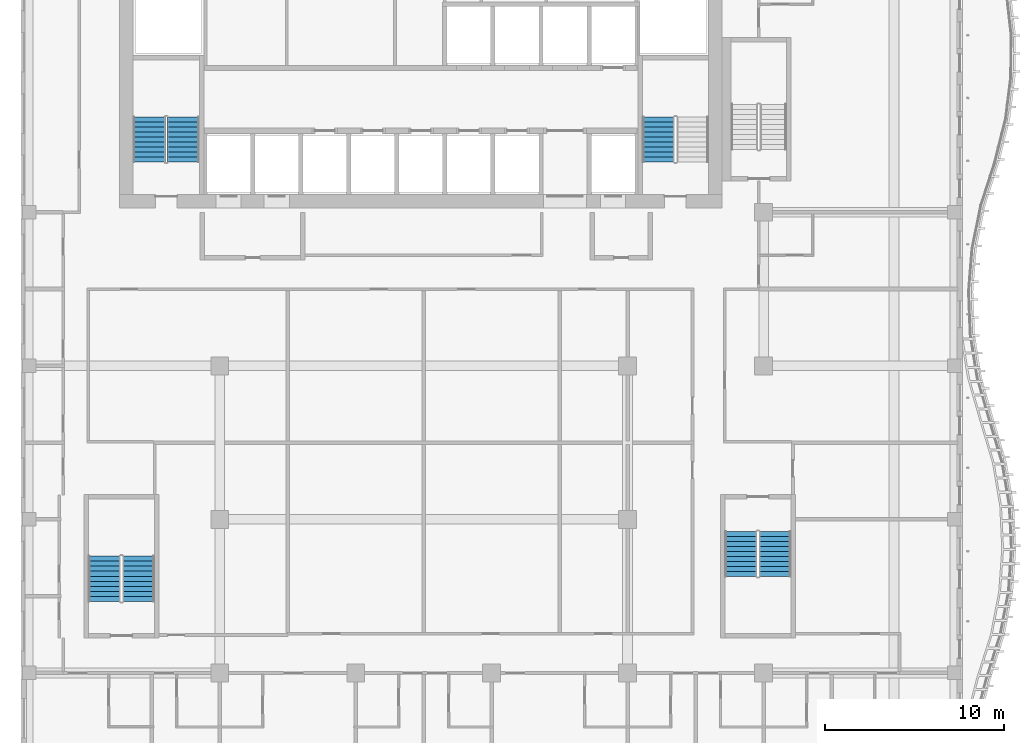
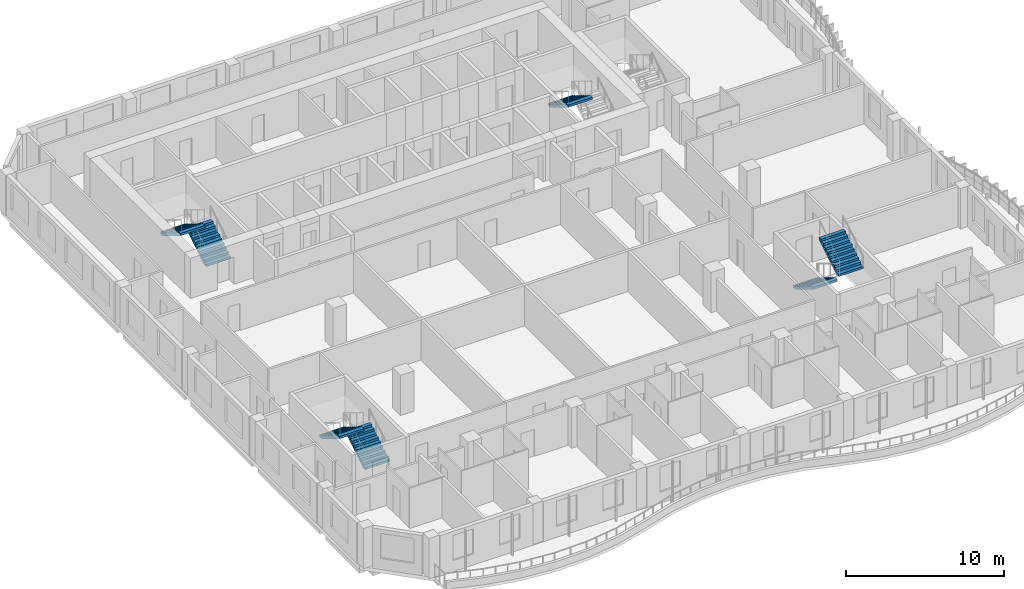
# One storey, part 11 of 22: 7 stair flights, 4 elements without a shape of their own.
"""IFC4 building model written with IfcOpenShell, lengths in metres."""

import ifcopenshell
import ifcopenshell.guid

model = None  # the IFC model being written
_history = None  # IfcOwnerHistory: only IFC2X3 demands one
_inside = {}  # id of a spatial element -> (the spatial element, [elements in it])
_under = {}  # id of a project, library or spatial element -> (it, [spatial elements below it])
_declared = {}  # id of a project -> (the project, [libraries it declares])
_typed = {}  # id of a type object -> (the type object, [elements of that type])
_made_of = {}  # id of a material, layer set ... -> (it, [elements and type objects made of it])


def new_model(schema):
    """Start an empty IFC model of exactly this schema.

    Asked for "IFC4X3", IfcOpenShell would pick the latest addendum, in which some entities
    have other attributes; the version numbers below select the first issue.
    IFC2X3 requires an IfcOwnerHistory on every rooted entity: one is made here for all.
    """
    global model, _history
    if schema == "IFC4X3":
        model = ifcopenshell.file(schema_version=(4, 3, 0, 0))
    else:
        model = ifcopenshell.file(schema=schema)
    _inside.clear()
    _under.clear()
    _declared.clear()
    _typed.clear()
    _made_of.clear()
    _history = None
    if model.schema == "IFC2X3":
        org = make("IfcOrganization", Name="unknown")
        user = make(
            "IfcPersonAndOrganization",
            ThePerson=make("IfcPerson", FamilyName="unknown"),
            TheOrganization=org,
        )
        app = make(
            "IfcApplication",
            ApplicationDeveloper=org,
            Version="unknown",
            ApplicationFullName="unknown",
            ApplicationIdentifier="unknown",
        )
        _history = make(
            "IfcOwnerHistory",
            OwningUser=user,
            OwningApplication=app,
            ChangeAction="ADDED",
            CreationDate=0,
        )
    return model


def make(cls, **values):
    """One entity of the class cls with the attributes given. An attribute that is None is left unset."""
    return model.create_entity(
        cls, **{name: value for name, value in values.items() if value is not None}
    )


def rooted(cls, **values):
    """An entity with a GlobalId (a new one), such as an element, a storey or a relation."""
    return make(cls, GlobalId=ifcopenshell.guid.new(), OwnerHistory=_history, **values)


def si_unit(unit_type, name, prefix=None):
    """IfcSIUnit, for example si_unit("LENGTHUNIT", "METRE", prefix="MILLI")."""
    return make("IfcSIUnit", UnitType=unit_type, Prefix=prefix, Name=name)


def assignment(units):
    """IfcUnitAssignment: the units of a project."""
    return None if units is None else make("IfcUnitAssignment", Units=units)


def point(xyz):
    """IfcCartesianPoint."""
    return None if xyz is None else make("IfcCartesianPoint", Coordinates=xyz)


def direction(xyz):
    """IfcDirection."""
    return None if xyz is None else make("IfcDirection", DirectionRatios=xyz)


def frame(location, z_axis=None, x_axis=None):
    """IfcAxis2Placement3D, a coordinate frame: its origin and axes. An axis left out is left unset."""
    return make(
        "IfcAxis2Placement3D",
        Location=point(location),
        Axis=direction(z_axis),
        RefDirection=direction(x_axis),
    )


def origin():
    """The frame at (0, 0, 0) with its axes left unset."""
    return frame((0.0, 0.0, 0.0))


def place(relative_to, where):
    """IfcLocalPlacement: puts the frame where relative to a parent placement (None: the world)."""
    return make(
        "IfcLocalPlacement", PlacementRelTo=relative_to, RelativePlacement=where
    )


def context(
    kind, dimensions, precision=None, world=None, true_north=None, identifier=None
):
    """IfcGeometricRepresentationContext, for example the 3D "Model" context."""
    return make(
        "IfcGeometricRepresentationContext",
        ContextIdentifier=identifier,
        ContextType=kind,
        CoordinateSpaceDimension=dimensions,
        Precision=precision,
        WorldCoordinateSystem=world,
        TrueNorth=true_north,
    )


def subcontext(parent, identifier, kind, view, scale=None):
    """IfcGeometricRepresentationSubContext, for example "Body" below "Model"."""
    return make(
        "IfcGeometricRepresentationSubContext",
        ContextIdentifier=identifier,
        ContextType=kind,
        ParentContext=parent,
        TargetScale=scale,
        TargetView=view,
    )


def project(units=None, contexts=None):
    """IfcProject with its units and contexts."""
    return rooted(
        "IfcProject",
        Name="project",
        RepresentationContexts=contexts,
        UnitsInContext=assignment(units),
    )


def spatial(cls, under=None, at=None, **own):
    """A site, building, storey or space (cls), placed at a placement, below another one or the project."""
    s = rooted(cls, ObjectPlacement=at, **own)
    if under is not None:
        _under.setdefault(under.id(), (under, []))[1].append(s)
    return s


def point_list(points):
    """IfcCartesianPointList2D or 3D."""
    cls = (
        "IfcCartesianPointList2D" if len(points[0]) == 2 else "IfcCartesianPointList3D"
    )
    return make(cls, CoordList=points)


def triangles(points, corners, closed=None, point_numbers=None):
    """IfcTriangulatedFaceSet: each triangle names its three corners, points numbered from 1."""
    return make(
        "IfcTriangulatedFaceSet",
        Coordinates=point_list(points),
        Closed=closed,
        CoordIndex=corners,
        PnIndex=point_numbers,
    )


def shape(context_of_items, identifier, shape_type, items):
    """IfcShapeRepresentation: the items that make up one representation, for example the "Body"."""
    return make(
        "IfcShapeRepresentation",
        ContextOfItems=context_of_items,
        RepresentationIdentifier=identifier,
        RepresentationType=shape_type,
        Items=items,
    )


def source(mapping_origin, context_of_items, identifier, shape_type, items):
    """IfcRepresentationMap: a shape defined once, which mapped items show again and again."""
    return make(
        "IfcRepresentationMap",
        MappingOrigin=mapping_origin,
        MappedRepresentation=shape(context_of_items, identifier, shape_type, items),
    )


def transform(
    local_origin,
    x_axis=None,
    y_axis=None,
    z_axis=None,
    scale=None,
    scale2=None,
    scale3=None,
    uniform=True,
):
    """IfcCartesianTransformationOperator3D, or its non-uniform kind. x_axis, y_axis, z_axis: its Axis1, 2, 3."""
    if uniform:
        return make(
            "IfcCartesianTransformationOperator3D",
            Axis1=direction(x_axis),
            Axis2=direction(y_axis),
            LocalOrigin=point(local_origin),
            Scale=scale,
            Axis3=direction(z_axis),
        )
    return make(
        "IfcCartesianTransformationOperator3DnonUniform",
        Axis1=direction(x_axis),
        Axis2=direction(y_axis),
        LocalOrigin=point(local_origin),
        Scale=scale,
        Axis3=direction(z_axis),
        Scale2=scale2,
        Scale3=scale3,
    )


def mapped(mapping_source, mapping_target):
    """IfcMappedItem: shows the shape of a source again, moved by a transform."""
    return make(
        "IfcMappedItem", MappingSource=mapping_source, MappingTarget=mapping_target
    )


def material(Name=None, Category=None):
    """IfcMaterial."""
    return make("IfcMaterial", Name=Name, Category=Category)


def made_of(thing, what):
    """Note that an element or type object is made of a material, layer set ...; save() writes the relation."""
    if what is not None:
        _made_of.setdefault(what.id(), (what, []))[1].append(thing)
    return thing


def type_object(cls, material=None, **own):
    """A type object (cls), such as IfcWallType, which elements share."""
    return made_of(rooted(cls, **own), material)


def element(
    cls,
    number,
    at=None,
    inside=None,
    cuts=None,
    type_object=None,
    material=None,
    context=None,
    identifier="Body",
    shape_type=None,
    held_by="IfcProductDefinitionShape",
    body=None,
    shapes=None,
    **own,
):
    """One element of the class cls, such as IfcWall. Its Tag is "e" and its number.

    at: its placement. inside: the storey or other place that contains it. cuts: it is an
    opening in that element (IfcRelVoidsElement). A single representation is given by context,
    identifier, shape_type and body (its items); several are given by shapes. held_by: the class
    of the entity that holds the representations. save() writes the other relations.
    """
    e = rooted(cls, Tag="e%d" % number, ObjectPlacement=at, **own)
    if body is not None:
        shapes = [shape(context, identifier, shape_type, body)]
    if shapes is not None:
        e.Representation = make(held_by, Representations=shapes)
    if inside is not None:
        _inside.setdefault(inside.id(), (inside, []))[1].append(e)
    if cuts is not None:
        rooted(
            "IfcRelVoidsElement", RelatingBuildingElement=cuts, RelatedOpeningElement=e
        )
    if type_object is not None:
        _typed.setdefault(type_object.id(), (type_object, []))[1].append(e)
    return made_of(e, material)


def aggregate(whole, parts):
    """IfcRelAggregates: a whole, such as a stair, and the parts it consists of."""
    return rooted("IfcRelAggregates", RelatingObject=whole, RelatedObjects=parts)


def save(model, path):
    """Write the relations noted so far, then the file.

    IfcRelAggregates (storeys below a building ...), IfcRelContainedInSpatialStructure (elements
    in a storey), IfcRelDefinesByType, IfcRelAssociatesMaterial and IfcRelDeclares: one each for
    every whole, place, type object, material and project.
    """
    for whole, parts in _under.values():
        aggregate(whole, parts)
    for where, things in _inside.values():
        rooted(
            "IfcRelContainedInSpatialStructure",
            RelatedElements=things,
            RelatingStructure=where,
        )
    for kind, things in _typed.values():
        rooted("IfcRelDefinesByType", RelatedObjects=things, RelatingType=kind)
    for what, things in _made_of.values():
        rooted("IfcRelAssociatesMaterial", RelatedObjects=things, RelatingMaterial=what)
    for by, libraries in _declared.values():
        rooted("IfcRelDeclares", RelatingContext=by, RelatedDefinitions=libraries)
    model.write(path)


model = new_model("IFC4")

# Units and contexts
model_context = context("Model", 3, precision=1e-05, world=origin(), true_north=direction((0.0, 1.0)))
body_context = subcontext(model_context, "Body", "Model", "MODEL_VIEW")
ifc_project = project(units=[si_unit("LENGTHUNIT", "METRE"), si_unit("AREAUNIT", "SQUARE_METRE"), si_unit("VOLUMEUNIT", "CUBIC_METRE"), si_unit("PLANEANGLEUNIT", "RADIAN"), si_unit("MASSUNIT", "GRAM", prefix="KILO")], contexts=[model_context])

# Site, building, storey
site_placement = place(None, origin())
site = spatial("IfcSite", under=ifc_project, at=site_placement, CompositionType="ELEMENT")
building_placement = place(site_placement, origin())
building = spatial("IfcBuilding", under=site, at=building_placement, Name="Kilnfold Tower and Market Hall", CompositionType="ELEMENT")
storey_placement = place(building_placement, frame((0.0, 0.0, 213.5)))
storey = spatial("IfcBuildingStorey", under=building, at=storey_placement, Name="L52", CompositionType="ELEMENT", Elevation=213.5)

# Stair, stair flights
ifc_material_1 = material(Name="Concrete C40/50", Category="concrete")
stair_type = type_object("IfcStairType", Name="CORE STAIR 1800", PredefinedType="HALF_TURN_STAIR", material=ifc_material_1)
stair_1_placement = place(storey_placement, origin())
stair_1 = element("IfcStair", 1, at=stair_1_placement, inside=storey, type_object=stair_type, Name="L52 ST1", PredefinedType="HALF_TURN_STAIR")
ifc_material_2 = material(Name="Concrete C40/50", Category="concrete")
stair_flight_type = type_object("IfcStairFlightType", Name="CORE STAIR FLIGHT 1800", PredefinedType="STRAIGHT", material=ifc_material_2)
shared_shape = source(origin(), body_context, "Body", "Tessellation", [
    triangles([(0.0, 0.89990234375, 0.0), (0.0, 0.78759765625, 0.0), (0.0, 0.675048828125, 0.0), (0.0, 0.5625, 0.0), (0.0, 0.449951171875, 0.0), (0.0, 0.33740234375, 0.0), (0.0, 0.22509765625, 0.0), (0.0, 0.112548828125, 0.0), (0.0, 0.0, 0.0), (0.0, -0.112548828125, 0.0), (0.0, -0.22509765625, 0.0), (0.0, -0.33740234375, 0.0), (0.0, -0.449951171875, 0.0), (0.0, -0.5625, 0.0), (0.0, -0.675048828125, 0.0), (0.0, -0.78759765625, 0.0), (0.0, -0.89990234375, 0.0), (0.0, 0.89990234375, 0.169921875), (0.0, 0.78759765625, 0.169921875), (0.0, 0.675048828125, 0.169921875), (0.0, 0.5625, 0.169921875), (0.0, 0.449951171875, 0.169921875), (0.0, 0.33740234375, 0.169921875), (0.0, 0.22509765625, 0.169921875), (0.0, 0.112548828125, 0.169921875), (0.0, 0.0, 0.169921875), (0.0, -0.112548828125, 0.169921875), (0.0, -0.22509765625, 0.169921875), (0.0, -0.33740234375, 0.169921875), (0.0, -0.449951171875, 0.169921875), (0.0, -0.5625, 0.169921875), (0.0, -0.675048828125, 0.169921875), (0.0, -0.78759765625, 0.169921875), (0.0, -0.89990234375, 0.169921875), (0.280029296875, 0.89990234375, 0.169921875), (0.280029296875, 0.78759765625, 0.169921875), (0.280029296875, 0.675048828125, 0.169921875), (0.280029296875, 0.5625, 0.169921875), (0.280029296875, 0.449951171875, 0.169921875), (0.280029296875, 0.33740234375, 0.169921875), (0.280029296875, 0.22509765625, 0.169921875), (0.280029296875, 0.112548828125, 0.169921875), (0.280029296875, 0.0, 0.169921875), (0.280029296875, -0.112548828125, 0.169921875), (0.280029296875, -0.22509765625, 0.169921875), (0.280029296875, -0.33740234375, 0.169921875), (0.280029296875, -0.449951171875, 0.169921875), (0.280029296875, -0.5625, 0.169921875), (0.280029296875, -0.675048828125, 0.169921875), (0.280029296875, -0.78759765625, 0.169921875), (0.280029296875, -0.89990234375, 0.169921875), (0.280029296875, 0.89990234375, 0.340087890625), (0.280029296875, 0.78759765625, 0.340087890625), (0.280029296875, 0.675048828125, 0.340087890625), (0.280029296875, 0.5625, 0.340087890625), (0.280029296875, 0.449951171875, 0.340087890625), (0.280029296875, 0.33740234375, 0.340087890625), (0.280029296875, 0.22509765625, 0.340087890625), (0.280029296875, 0.112548828125, 0.340087890625), (0.280029296875, 0.0, 0.340087890625), (0.280029296875, -0.112548828125, 0.340087890625), (0.280029296875, -0.22509765625, 0.340087890625), (0.280029296875, -0.33740234375, 0.340087890625), (0.280029296875, -0.449951171875, 0.340087890625), (0.280029296875, -0.5625, 0.340087890625), (0.280029296875, -0.675048828125, 0.340087890625), (0.280029296875, -0.78759765625, 0.340087890625), (0.280029296875, -0.89990234375, 0.340087890625), (0.56005859375, 0.89990234375, 0.340087890625), (0.56005859375, 0.78759765625, 0.340087890625), (0.56005859375, 0.675048828125, 0.340087890625), (0.56005859375, 0.5625, 0.340087890625), (0.56005859375, 0.449951171875, 0.340087890625), (0.56005859375, 0.33740234375, 0.340087890625), (0.56005859375, 0.22509765625, 0.340087890625), (0.56005859375, 0.112548828125, 0.340087890625), (0.56005859375, 0.0, 0.340087890625), (0.56005859375, -0.112548828125, 0.340087890625), (0.56005859375, -0.22509765625, 0.340087890625), (0.56005859375, -0.33740234375, 0.340087890625), (0.56005859375, -0.449951171875, 0.340087890625), (0.56005859375, -0.5625, 0.340087890625), (0.56005859375, -0.675048828125, 0.340087890625), (0.56005859375, -0.78759765625, 0.340087890625), (0.56005859375, -0.89990234375, 0.340087890625), (0.56005859375, 0.89990234375, 0.510009765625), (0.56005859375, 0.78759765625, 0.510009765625), (0.56005859375, 0.675048828125, 0.510009765625), (0.56005859375, 0.5625, 0.510009765625), (0.56005859375, 0.449951171875, 0.510009765625), (0.56005859375, 0.33740234375, 0.510009765625), (0.56005859375, 0.22509765625, 0.510009765625), (0.56005859375, 0.112548828125, 0.510009765625), (0.56005859375, 0.0, 0.510009765625), (0.56005859375, -0.112548828125, 0.510009765625), (0.56005859375, -0.22509765625, 0.510009765625), (0.56005859375, -0.33740234375, 0.510009765625), (0.56005859375, -0.449951171875, 0.510009765625), (0.56005859375, -0.5625, 0.510009765625), (0.56005859375, -0.675048828125, 0.510009765625), (0.56005859375, -0.78759765625, 0.510009765625), (0.56005859375, -0.89990234375, 0.510009765625), (0.840087890625, 0.89990234375, 0.510009765625), (0.840087890625, 0.78759765625, 0.510009765625), (0.840087890625, 0.675048828125, 0.510009765625), (0.840087890625, 0.5625, 0.510009765625), (0.840087890625, 0.449951171875, 0.510009765625), (0.840087890625, 0.33740234375, 0.510009765625), (0.840087890625, 0.22509765625, 0.510009765625), (0.840087890625, 0.112548828125, 0.510009765625), (0.840087890625, 0.0, 0.510009765625), (0.840087890625, -0.112548828125, 0.510009765625), (0.840087890625, -0.22509765625, 0.510009765625), (0.840087890625, -0.33740234375, 0.510009765625), (0.840087890625, -0.449951171875, 0.510009765625), (0.840087890625, -0.5625, 0.510009765625), (0.840087890625, -0.675048828125, 0.510009765625), (0.840087890625, -0.78759765625, 0.510009765625), (0.840087890625, -0.89990234375, 0.510009765625), (0.840087890625, 0.89990234375, 0.679931640625), (0.840087890625, 0.78759765625, 0.679931640625), (0.840087890625, 0.675048828125, 0.679931640625), (0.840087890625, 0.5625, 0.679931640625), (0.840087890625, 0.449951171875, 0.679931640625), (0.840087890625, 0.33740234375, 0.679931640625), (0.840087890625, 0.22509765625, 0.679931640625), (0.840087890625, 0.112548828125, 0.679931640625), (0.840087890625, 0.0, 0.679931640625), (0.840087890625, -0.112548828125, 0.679931640625), (0.840087890625, -0.22509765625, 0.679931640625), (0.840087890625, -0.33740234375, 0.679931640625), (0.840087890625, -0.449951171875, 0.679931640625), (0.840087890625, -0.5625, 0.679931640625), (0.840087890625, -0.675048828125, 0.679931640625), (0.840087890625, -0.78759765625, 0.679931640625), (0.840087890625, -0.89990234375, 0.679931640625), (1.1201171875, 0.89990234375, 0.679931640625), (1.1201171875, 0.78759765625, 0.679931640625), (1.1201171875, 0.675048828125, 0.679931640625), (1.1201171875, 0.5625, 0.679931640625), (1.1201171875, 0.449951171875, 0.679931640625), (1.1201171875, 0.33740234375, 0.679931640625), (1.1201171875, 0.22509765625, 0.679931640625), (1.1201171875, 0.112548828125, 0.679931640625), (1.1201171875, 0.0, 0.679931640625), (1.1201171875, -0.112548828125, 0.679931640625), (1.1201171875, -0.22509765625, 0.679931640625), (1.1201171875, -0.33740234375, 0.679931640625), (1.1201171875, -0.449951171875, 0.679931640625), (1.1201171875, -0.5625, 0.679931640625), (1.1201171875, -0.675048828125, 0.679931640625), (1.1201171875, -0.78759765625, 0.679931640625), (1.1201171875, -0.89990234375, 0.679931640625), (1.1201171875, 0.89990234375, 0.85009765625), (1.1201171875, 0.78759765625, 0.85009765625), (1.1201171875, 0.675048828125, 0.85009765625), (1.1201171875, 0.5625, 0.85009765625), (1.1201171875, 0.449951171875, 0.85009765625), (1.1201171875, 0.33740234375, 0.85009765625), (1.1201171875, 0.22509765625, 0.85009765625), (1.1201171875, 0.112548828125, 0.85009765625), (1.1201171875, 0.0, 0.85009765625), (1.1201171875, -0.112548828125, 0.85009765625), (1.1201171875, -0.22509765625, 0.85009765625), (1.1201171875, -0.33740234375, 0.85009765625), (1.1201171875, -0.449951171875, 0.85009765625), (1.1201171875, -0.5625, 0.85009765625), (1.1201171875, -0.675048828125, 0.85009765625), (1.1201171875, -0.78759765625, 0.85009765625), (1.1201171875, -0.89990234375, 0.85009765625), (1.39990234375, 0.89990234375, 0.85009765625), (1.39990234375, 0.78759765625, 0.85009765625), (1.39990234375, 0.675048828125, 0.85009765625), (1.39990234375, 0.5625, 0.85009765625), (1.39990234375, 0.449951171875, 0.85009765625), (1.39990234375, 0.33740234375, 0.85009765625), (1.39990234375, 0.22509765625, 0.85009765625), (1.39990234375, 0.112548828125, 0.85009765625), (1.39990234375, 0.0, 0.85009765625), (1.39990234375, -0.112548828125, 0.85009765625), (1.39990234375, -0.22509765625, 0.85009765625), (1.39990234375, -0.33740234375, 0.85009765625), (1.39990234375, -0.449951171875, 0.85009765625), (1.39990234375, -0.5625, 0.85009765625), (1.39990234375, -0.675048828125, 0.85009765625), (1.39990234375, -0.78759765625, 0.85009765625), (1.39990234375, -0.89990234375, 0.85009765625), (1.39990234375, 0.89990234375, 1.02001953125), (1.39990234375, 0.78759765625, 1.02001953125), (1.39990234375, 0.675048828125, 1.02001953125), (1.39990234375, 0.5625, 1.02001953125), (1.39990234375, 0.449951171875, 1.02001953125), (1.39990234375, 0.33740234375, 1.02001953125), (1.39990234375, 0.22509765625, 1.02001953125), (1.39990234375, 0.112548828125, 1.02001953125), (1.39990234375, 0.0, 1.02001953125), (1.39990234375, -0.112548828125, 1.02001953125), (1.39990234375, -0.22509765625, 1.02001953125), (1.39990234375, -0.33740234375, 1.02001953125), (1.39990234375, -0.449951171875, 1.02001953125), (1.39990234375, -0.5625, 1.02001953125), (1.39990234375, -0.675048828125, 1.02001953125), (1.39990234375, -0.78759765625, 1.02001953125), (1.39990234375, -0.89990234375, 1.02001953125), (1.679931640625, 0.89990234375, 1.02001953125), (1.679931640625, 0.78759765625, 1.02001953125), (1.679931640625, 0.675048828125, 1.02001953125), (1.679931640625, 0.5625, 1.02001953125), (1.679931640625, 0.449951171875, 1.02001953125), (1.679931640625, 0.33740234375, 1.02001953125), (1.679931640625, 0.22509765625, 1.02001953125), (1.679931640625, 0.112548828125, 1.02001953125), (1.679931640625, 0.0, 1.02001953125), (1.679931640625, -0.112548828125, 1.02001953125), (1.679931640625, -0.22509765625, 1.02001953125), (1.679931640625, -0.33740234375, 1.02001953125), (1.679931640625, -0.449951171875, 1.02001953125), (1.679931640625, -0.5625, 1.02001953125), (1.679931640625, -0.675048828125, 1.02001953125), (1.679931640625, -0.78759765625, 1.02001953125), (1.679931640625, -0.89990234375, 1.02001953125), (1.679931640625, 0.89990234375, 1.18994140625), (1.679931640625, 0.78759765625, 1.18994140625), (1.679931640625, 0.675048828125, 1.18994140625), (1.679931640625, 0.5625, 1.18994140625), (1.679931640625, 0.449951171875, 1.18994140625), (1.679931640625, 0.33740234375, 1.18994140625), (1.679931640625, 0.22509765625, 1.18994140625), (1.679931640625, 0.112548828125, 1.18994140625), (1.679931640625, 0.0, 1.18994140625), (1.679931640625, -0.112548828125, 1.18994140625), (1.679931640625, -0.22509765625, 1.18994140625), (1.679931640625, -0.33740234375, 1.18994140625), (1.679931640625, -0.449951171875, 1.18994140625), (1.679931640625, -0.5625, 1.18994140625), (1.679931640625, -0.675048828125, 1.18994140625), (1.679931640625, -0.78759765625, 1.18994140625), (1.679931640625, -0.89990234375, 1.18994140625), (1.9599609375, 0.89990234375, 1.18994140625), (1.9599609375, 0.78759765625, 1.18994140625), (1.9599609375, 0.675048828125, 1.18994140625), (1.9599609375, 0.5625, 1.18994140625), (1.9599609375, 0.449951171875, 1.18994140625), (1.9599609375, 0.33740234375, 1.18994140625), (1.9599609375, 0.22509765625, 1.18994140625), (1.9599609375, 0.112548828125, 1.18994140625), (1.9599609375, 0.0, 1.18994140625), (1.9599609375, -0.112548828125, 1.18994140625), (1.9599609375, -0.22509765625, 1.18994140625), (1.9599609375, -0.33740234375, 1.18994140625), (1.9599609375, -0.449951171875, 1.18994140625), (1.9599609375, -0.5625, 1.18994140625), (1.9599609375, -0.675048828125, 1.18994140625), (1.9599609375, -0.78759765625, 1.18994140625), (1.9599609375, -0.89990234375, 1.18994140625), (1.9599609375, 0.89990234375, 1.360107421875), (1.9599609375, 0.78759765625, 1.360107421875), (1.9599609375, 0.675048828125, 1.360107421875), (1.9599609375, 0.5625, 1.360107421875), (1.9599609375, 0.449951171875, 1.360107421875), (1.9599609375, 0.33740234375, 1.360107421875), (1.9599609375, 0.22509765625, 1.360107421875), (1.9599609375, 0.112548828125, 1.360107421875), (1.9599609375, 0.0, 1.360107421875), (1.9599609375, -0.112548828125, 1.360107421875), (1.9599609375, -0.22509765625, 1.360107421875), (1.9599609375, -0.33740234375, 1.360107421875), (1.9599609375, -0.449951171875, 1.360107421875), (1.9599609375, -0.5625, 1.360107421875), (1.9599609375, -0.675048828125, 1.360107421875), (1.9599609375, -0.78759765625, 1.360107421875), (1.9599609375, -0.89990234375, 1.360107421875), (2.239990234375, 0.89990234375, 1.360107421875), (2.239990234375, 0.78759765625, 1.360107421875), (2.239990234375, 0.675048828125, 1.360107421875), (2.239990234375, 0.5625, 1.360107421875), (2.239990234375, 0.449951171875, 1.360107421875), (2.239990234375, 0.33740234375, 1.360107421875), (2.239990234375, 0.22509765625, 1.360107421875), (2.239990234375, 0.112548828125, 1.360107421875), (2.239990234375, 0.0, 1.360107421875), (2.239990234375, -0.112548828125, 1.360107421875), (2.239990234375, -0.22509765625, 1.360107421875), (2.239990234375, -0.33740234375, 1.360107421875), (2.239990234375, -0.449951171875, 1.360107421875), (2.239990234375, -0.5625, 1.360107421875), (2.239990234375, -0.675048828125, 1.360107421875), (2.239990234375, -0.78759765625, 1.360107421875), (2.239990234375, -0.89990234375, 1.360107421875), (2.239990234375, 0.89990234375, 1.530029296875), (2.239990234375, 0.78759765625, 1.530029296875), (2.239990234375, 0.675048828125, 1.530029296875), (2.239990234375, 0.5625, 1.530029296875), (2.239990234375, 0.449951171875, 1.530029296875), (2.239990234375, 0.33740234375, 1.530029296875), (2.239990234375, 0.22509765625, 1.530029296875), (2.239990234375, 0.112548828125, 1.530029296875), (2.239990234375, 0.0, 1.530029296875), (2.239990234375, -0.112548828125, 1.530029296875), (2.239990234375, -0.22509765625, 1.530029296875), (2.239990234375, -0.33740234375, 1.530029296875), (2.239990234375, -0.449951171875, 1.530029296875), (2.239990234375, -0.5625, 1.530029296875), (2.239990234375, -0.675048828125, 1.530029296875), (2.239990234375, -0.78759765625, 1.530029296875), (2.239990234375, -0.89990234375, 1.530029296875), (2.52001953125, 0.89990234375, 1.530029296875), (2.52001953125, 0.78759765625, 1.530029296875), (2.52001953125, 0.675048828125, 1.530029296875), (2.52001953125, 0.5625, 1.530029296875), (2.52001953125, 0.449951171875, 1.530029296875), (2.52001953125, 0.33740234375, 1.530029296875), (2.52001953125, 0.22509765625, 1.530029296875), (2.52001953125, 0.112548828125, 1.530029296875), (2.52001953125, 0.0, 1.530029296875), (2.52001953125, -0.112548828125, 1.530029296875), (2.52001953125, -0.22509765625, 1.530029296875), (2.52001953125, -0.33740234375, 1.530029296875), (2.52001953125, -0.449951171875, 1.530029296875), (2.52001953125, -0.5625, 1.530029296875), (2.52001953125, -0.675048828125, 1.530029296875), (2.52001953125, -0.78759765625, 1.530029296875), (2.52001953125, -0.89990234375, 1.530029296875), (2.52001953125, 0.89990234375, 1.354736328125), (2.52001953125, 0.78759765625, 1.354736328125), (2.52001953125, 0.675048828125, 1.354736328125), (2.52001953125, 0.5625, 1.354736328125), (2.52001953125, 0.449951171875, 1.354736328125), (2.52001953125, 0.33740234375, 1.354736328125), (2.52001953125, 0.22509765625, 1.354736328125), (2.52001953125, 0.112548828125, 1.354736328125), (2.52001953125, 0.0, 1.354736328125), (2.52001953125, -0.112548828125, 1.354736328125), (2.52001953125, -0.22509765625, 1.354736328125), (2.52001953125, -0.33740234375, 1.354736328125), (2.52001953125, -0.449951171875, 1.354736328125), (2.52001953125, -0.5625, 1.354736328125), (2.52001953125, -0.675048828125, 1.354736328125), (2.52001953125, -0.78759765625, 1.354736328125), (2.52001953125, -0.89990234375, 1.354736328125), (0.288818359375, 0.89990234375, 0.0), (0.288818359375, 0.78759765625, 0.0), (0.288818359375, 0.675048828125, 0.0), (0.288818359375, 0.5625, 0.0), (0.288818359375, 0.449951171875, 0.0), (0.288818359375, 0.33740234375, 0.0), (0.288818359375, 0.22509765625, 0.0), (0.288818359375, 0.112548828125, 0.0), (0.288818359375, 0.0, 0.0), (0.288818359375, -0.112548828125, 0.0), (0.288818359375, -0.22509765625, 0.0), (0.288818359375, -0.33740234375, 0.0), (0.288818359375, -0.449951171875, 0.0), (0.288818359375, -0.5625, 0.0), (0.288818359375, -0.675048828125, 0.0), (0.288818359375, -0.78759765625, 0.0), (0.288818359375, -0.89990234375, 0.0)], [[1, 324, 341], [17, 357, 340], [324, 290, 307], [340, 323, 306], [324, 273, 290], [340, 306, 289], [324, 256, 273], [340, 289, 272], [324, 239, 256], [340, 272, 255], [239, 205, 222], [255, 238, 221], [324, 205, 239], [340, 255, 221], [205, 171, 188], [221, 204, 187], [324, 171, 205], [340, 221, 187], [171, 137, 154], [187, 170, 153], [324, 137, 171], [340, 187, 153], [137, 103, 120], [153, 136, 119], [324, 103, 137], [340, 153, 119], [103, 69, 86], [119, 102, 85], [324, 69, 103], [340, 119, 85], [69, 35, 52], [85, 68, 51], [324, 35, 69], [340, 85, 51], [1, 35, 324], [17, 340, 51], [35, 1, 18], [51, 34, 17], [1, 19, 18], [1, 2, 19], [2, 20, 19], [2, 3, 20], [3, 21, 20], [3, 4, 21], [4, 22, 21], [4, 5, 22], [5, 23, 22], [5, 6, 23], [6, 24, 23], [6, 7, 24], [7, 25, 24], [7, 8, 25], [8, 26, 25], [8, 9, 26], [9, 27, 26], [9, 10, 27], [10, 28, 27], [10, 11, 28], [11, 29, 28], [11, 12, 29], [12, 30, 29], [12, 13, 30], [13, 31, 30], [13, 14, 31], [14, 32, 31], [14, 15, 32], [15, 33, 32], [15, 16, 33], [16, 34, 33], [16, 17, 34], [18, 36, 35], [18, 19, 36], [19, 37, 36], [19, 20, 37], [20, 38, 37], [20, 21, 38], [21, 39, 38], [21, 22, 39], [22, 40, 39], [22, 23, 40], [23, 41, 40], [23, 24, 41], [24, 42, 41], [24, 25, 42], [25, 43, 42], [25, 26, 43], [26, 44, 43], [26, 27, 44], [27, 45, 44], [27, 28, 45], [28, 46, 45], [28, 29, 46], [29, 47, 46], [29, 30, 47], [30, 48, 47], [30, 31, 48], [31, 49, 48], [31, 32, 49], [32, 50, 49], [32, 33, 50], [33, 51, 50], [33, 34, 51], [35, 53, 52], [35, 36, 53], [36, 54, 53], [36, 37, 54], [37, 55, 54], [37, 38, 55], [38, 56, 55], [38, 39, 56], [39, 57, 56], [39, 40, 57], [40, 58, 57], [40, 41, 58], [41, 59, 58], [41, 42, 59], [42, 60, 59], [42, 43, 60], [43, 61, 60], [43, 44, 61], [44, 62, 61], [44, 45, 62], [45, 63, 62], [45, 46, 63], [46, 64, 63], [46, 47, 64], [47, 65, 64], [47, 48, 65], [48, 66, 65], [48, 49, 66], [49, 67, 66], [49, 50, 67], [50, 68, 67], [50, 51, 68], [52, 70, 69], [52, 53, 70], [53, 71, 70], [53, 54, 71], [54, 72, 71], [54, 55, 72], [55, 73, 72], [55, 56, 73], [56, 74, 73], [56, 57, 74], [57, 75, 74], [57, 58, 75], [58, 76, 75], [58, 59, 76], [59, 77, 76], [59, 60, 77], [60, 78, 77], [60, 61, 78], [61, 79, 78], [61, 62, 79], [62, 80, 79], [62, 63, 80], [63, 81, 80], [63, 64, 81], [64, 82, 81], [64, 65, 82], [65, 83, 82], [65, 66, 83], [66, 84, 83], [66, 67, 84], [67, 85, 84], [67, 68, 85], [69, 87, 86], [69, 70, 87], [70, 88, 87], [70, 71, 88], [71, 89, 88], [71, 72, 89], [72, 90, 89], [72, 73, 90], [73, 91, 90], [73, 74, 91], [74, 92, 91], [74, 75, 92], [75, 93, 92], [75, 76, 93], [76, 94, 93], [76, 77, 94], [77, 95, 94], [77, 78, 95], [78, 96, 95], [78, 79, 96], [79, 97, 96], [79, 80, 97], [80, 98, 97], [80, 81, 98], [81, 99, 98], [81, 82, 99], [82, 100, 99], [82, 83, 100], [83, 101, 100], [83, 84, 101], [84, 102, 101], [84, 85, 102], [86, 104, 103], [86, 87, 104], [87, 105, 104], [87, 88, 105], [88, 106, 105], [88, 89, 106], [89, 107, 106], [89, 90, 107], [90, 108, 107], [90, 91, 108], [91, 109, 108], [91, 92, 109], [92, 110, 109], [92, 93, 110], [93, 111, 110], [93, 94, 111], [94, 112, 111], [94, 95, 112], [95, 113, 112], [95, 96, 113], [96, 114, 113], [96, 97, 114], [97, 115, 114], [97, 98, 115], [98, 116, 115], [98, 99, 116], [99, 117, 116], [99, 100, 117], [100, 118, 117], [100, 101, 118], [101, 119, 118], [101, 102, 119], [103, 121, 120], [103, 104, 121], [104, 122, 121], [104, 105, 122], [105, 123, 122], [105, 106, 123], [106, 124, 123], [106, 107, 124], [107, 125, 124], [107, 108, 125], [108, 126, 125], [108, 109, 126], [109, 127, 126], [109, 110, 127], [110, 128, 127], [110, 111, 128], [111, 129, 128], [111, 112, 129], [112, 130, 129], [112, 113, 130], [113, 131, 130], [113, 114, 131], [114, 132, 131], [114, 115, 132], [115, 133, 132], [115, 116, 133], [116, 134, 133], [116, 117, 134], [117, 135, 134], [117, 118, 135], [118, 136, 135], [118, 119, 136], [120, 138, 137], [120, 121, 138], [121, 139, 138], [121, 122, 139], [122, 140, 139], [122, 123, 140], [123, 141, 140], [123, 124, 141], [124, 142, 141], [124, 125, 142], [125, 143, 142], [125, 126, 143], [126, 144, 143], [126, 127, 144], [127, 145, 144], [127, 128, 145], [128, 146, 145], [128, 129, 146], [129, 147, 146], [129, 130, 147], [130, 148, 147], [130, 131, 148], [131, 149, 148], [131, 132, 149], [132, 150, 149], [132, 133, 150], [133, 151, 150], [133, 134, 151], [134, 152, 151], [134, 135, 152], [135, 153, 152], [135, 136, 153], [137, 155, 154], [137, 138, 155], [138, 156, 155], [138, 139, 156], [139, 157, 156], [139, 140, 157], [140, 158, 157], [140, 141, 158], [141, 159, 158], [141, 142, 159], [142, 160, 159], [142, 143, 160], [143, 161, 160], [143, 144, 161], [144, 162, 161], [144, 145, 162], [145, 163, 162], [145, 146, 163], [146, 164, 163], [146, 147, 164], [147, 165, 164], [147, 148, 165], [148, 166, 165], [148, 149, 166], [149, 167, 166], [149, 150, 167], [150, 168, 167], [150, 151, 168], [151, 169, 168], [151, 152, 169], [152, 170, 169], [152, 153, 170], [154, 172, 171], [154, 155, 172], [155, 173, 172], [155, 156, 173], [156, 174, 173], [156, 157, 174], [157, 175, 174], [157, 158, 175], [158, 176, 175], [158, 159, 176], [159, 177, 176], [159, 160, 177], [160, 178, 177], [160, 161, 178], [161, 179, 178], [161, 162, 179], [162, 180, 179], [162, 163, 180], [163, 181, 180], [163, 164, 181], [164, 182, 181], [164, 165, 182], [165, 183, 182], [165, 166, 183], [166, 184, 183], [166, 167, 184], [167, 185, 184], [167, 168, 185], [168, 186, 185], [168, 169, 186], [169, 187, 186], [169, 170, 187], [171, 189, 188], [171, 172, 189], [172, 190, 189], [172, 173, 190], [173, 191, 190], [173, 174, 191], [174, 192, 191], [174, 175, 192], [175, 193, 192], [175, 176, 193], [176, 194, 193], [176, 177, 194], [177, 195, 194], [177, 178, 195], [178, 196, 195], [178, 179, 196], [179, 197, 196], [179, 180, 197], [180, 198, 197], [180, 181, 198], [181, 199, 198], [181, 182, 199], [182, 200, 199], [182, 183, 200], [183, 201, 200], [183, 184, 201], [184, 202, 201], [184, 185, 202], [185, 203, 202], [185, 186, 203], [186, 204, 203], [186, 187, 204], [188, 206, 205], [188, 189, 206], [189, 207, 206], [189, 190, 207], [190, 208, 207], [190, 191, 208], [191, 209, 208], [191, 192, 209], [192, 210, 209], [192, 193, 210], [193, 211, 210], [193, 194, 211], [194, 212, 211], [194, 195, 212], [195, 213, 212], [195, 196, 213], [196, 214, 213], [196, 197, 214], [197, 215, 214], [197, 198, 215], [198, 216, 215], [198, 199, 216], [199, 217, 216], [199, 200, 217], [200, 218, 217], [200, 201, 218], [201, 219, 218], [201, 202, 219], [202, 220, 219], [202, 203, 220], [203, 221, 220], [203, 204, 221], [205, 223, 222], [205, 206, 223], [206, 224, 223], [206, 207, 224], [207, 225, 224], [207, 208, 225], [208, 226, 225], [208, 209, 226], [209, 227, 226], [209, 210, 227], [210, 228, 227], [210, 211, 228], [211, 229, 228], [211, 212, 229], [212, 230, 229], [212, 213, 230], [213, 231, 230], [213, 214, 231], [214, 232, 231], [214, 215, 232], [215, 233, 232], [215, 216, 233], [216, 234, 233], [216, 217, 234], [217, 235, 234], [217, 218, 235], [218, 236, 235], [218, 219, 236], [219, 237, 236], [219, 220, 237], [220, 238, 237], [220, 221, 238], [222, 240, 239], [222, 223, 240], [223, 241, 240], [223, 224, 241], [224, 242, 241], [224, 225, 242], [225, 243, 242], [225, 226, 243], [226, 244, 243], [226, 227, 244], [227, 245, 244], [227, 228, 245], [228, 246, 245], [228, 229, 246], [229, 247, 246], [229, 230, 247], [230, 248, 247], [230, 231, 248], [231, 249, 248], [231, 232, 249], [232, 250, 249], [232, 233, 250], [233, 251, 250], [233, 234, 251], [234, 252, 251], [234, 235, 252], [235, 253, 252], [235, 236, 253], [236, 254, 253], [236, 237, 254], [237, 255, 254], [237, 238, 255], [239, 257, 256], [239, 240, 257], [240, 258, 257], [240, 241, 258], [241, 259, 258], [241, 242, 259], [242, 260, 259], [242, 243, 260], [243, 261, 260], [243, 244, 261], [244, 262, 261], [244, 245, 262], [245, 263, 262], [245, 246, 263], [246, 264, 263], [246, 247, 264], [247, 265, 264], [247, 248, 265], [248, 266, 265], [248, 249, 266], [249, 267, 266], [249, 250, 267], [250, 268, 267], [250, 251, 268], [251, 269, 268], [251, 252, 269], [252, 270, 269], [252, 253, 270], [253, 271, 270], [253, 254, 271], [254, 272, 271], [254, 255, 272], [256, 274, 273], [256, 257, 274], [257, 275, 274], [257, 258, 275], [258, 276, 275], [258, 259, 276], [259, 277, 276], [259, 260, 277], [260, 278, 277], [260, 261, 278], [261, 279, 278], [261, 262, 279], [262, 280, 279], [262, 263, 280], [263, 281, 280], [263, 264, 281], [264, 282, 281], [264, 265, 282], [265, 283, 282], [265, 266, 283], [266, 284, 283], [266, 267, 284], [267, 285, 284], [267, 268, 285], [268, 286, 285], [268, 269, 286], [269, 287, 286], [269, 270, 287], [270, 288, 287], [270, 271, 288], [271, 289, 288], [271, 272, 289], [273, 291, 290], [273, 274, 291], [274, 292, 291], [274, 275, 292], [275, 293, 292], [275, 276, 293], [276, 294, 293], [276, 277, 294], [277, 295, 294], [277, 278, 295], [278, 296, 295], [278, 279, 296], [279, 297, 296], [279, 280, 297], [280, 298, 297], [280, 281, 298], [281, 299, 298], [281, 282, 299], [282, 300, 299], [282, 283, 300], [283, 301, 300], [283, 284, 301], [284, 302, 301], [284, 285, 302], [285, 303, 302], [285, 286, 303], [286, 304, 303], [286, 287, 304], [287, 305, 304], [287, 288, 305], [288, 306, 305], [288, 289, 306], [290, 308, 307], [290, 291, 308], [291, 309, 308], [291, 292, 309], [292, 310, 309], [292, 293, 310], [293, 311, 310], [293, 294, 311], [294, 312, 311], [294, 295, 312], [295, 313, 312], [295, 296, 313], [296, 314, 313], [296, 297, 314], [297, 315, 314], [297, 298, 315], [298, 316, 315], [298, 299, 316], [299, 317, 316], [299, 300, 317], [300, 318, 317], [300, 301, 318], [301, 319, 318], [301, 302, 319], [302, 320, 319], [302, 303, 320], [303, 321, 320], [303, 304, 321], [304, 322, 321], [304, 305, 322], [305, 323, 322], [305, 306, 323], [307, 325, 324], [307, 308, 325], [308, 326, 325], [308, 309, 326], [309, 327, 326], [309, 310, 327], [310, 328, 327], [310, 311, 328], [311, 329, 328], [311, 312, 329], [312, 330, 329], [312, 313, 330], [313, 331, 330], [313, 314, 331], [314, 332, 331], [314, 315, 332], [315, 333, 332], [315, 316, 333], [316, 334, 333], [316, 317, 334], [317, 335, 334], [317, 318, 335], [318, 336, 335], [318, 319, 336], [319, 337, 336], [319, 320, 337], [320, 338, 337], [320, 321, 338], [321, 339, 338], [321, 322, 339], [322, 340, 339], [322, 323, 340], [324, 342, 341], [324, 325, 342], [325, 343, 342], [325, 326, 343], [326, 344, 343], [326, 327, 344], [327, 345, 344], [327, 328, 345], [328, 346, 345], [328, 329, 346], [329, 347, 346], [329, 330, 347], [330, 348, 347], [330, 331, 348], [331, 349, 348], [331, 332, 349], [332, 350, 349], [332, 333, 350], [333, 351, 350], [333, 334, 351], [334, 352, 351], [334, 335, 352], [335, 353, 352], [335, 336, 353], [336, 354, 353], [336, 337, 354], [337, 355, 354], [337, 338, 355], [338, 356, 355], [338, 339, 356], [339, 357, 356], [339, 340, 357], [341, 2, 1], [341, 342, 2], [342, 3, 2], [342, 343, 3], [343, 4, 3], [343, 344, 4], [344, 5, 4], [344, 345, 5], [345, 6, 5], [345, 346, 6], [346, 7, 6], [346, 347, 7], [347, 8, 7], [347, 348, 8], [348, 9, 8], [348, 349, 9], [349, 10, 9], [349, 350, 10], [350, 11, 10], [350, 351, 11], [351, 12, 11], [351, 352, 12], [352, 13, 12], [352, 353, 13], [353, 14, 13], [353, 354, 14], [354, 15, 14], [354, 355, 15], [355, 16, 15], [355, 356, 16], [356, 17, 16], [356, 357, 17]], closed=True),
])
stair_flight_1_placement = place(storey_placement, frame((-12.199951171875, 10.800048828125, 0.0), z_axis=(0.0, 0.0, 1.0), x_axis=(0.0, 1.0, 0.0)))
stair_flight_1 = element("IfcStairFlight", 2, at=stair_flight_1_placement, type_object=stair_flight_type, Name="ST1 flight 1", NumberOfRisers=10, NumberOfTreads=9, PredefinedType="STRAIGHT", RiserHeight=0.17, TreadLength=0.28, context=body_context, shape_type="MappedRepresentation", body=[
    mapped(shared_shape, transform((0.0, 0.0, 0.0))),
])
stair_flight_2_placement = place(storey_placement, frame((-14.10009765625, 13.320068359375, 1.699951171875), z_axis=(0.0, 0.0, 1.0), x_axis=(0.0, -1.0, 0.0)))
stair_flight_2 = element("IfcStairFlight", 3, at=stair_flight_2_placement, type_object=stair_flight_type, Name="ST1 flight 2", NumberOfRisers=10, NumberOfTreads=9, PredefinedType="STRAIGHT", RiserHeight=0.17, TreadLength=0.28, context=body_context, shape_type="MappedRepresentation", body=[
    mapped(shared_shape, transform((0.0, 0.0, 0.0))),
])
aggregate(stair_1, [stair_flight_1, stair_flight_2])

# Stair, stair flight
stair_2_placement = place(storey_placement, origin())
stair_2 = element("IfcStair", 4, at=stair_2_placement, inside=storey, type_object=stair_type, Name="L52 ST2", PredefinedType="HALF_TURN_STAIR")
stair_flight_3_placement = place(storey_placement, frame((14.300048828125, 13.320068359375, 1.699951171875), z_axis=(0.0, 0.0, 1.0), x_axis=(0.0, -1.0, 0.0)))
stair_flight_3 = element("IfcStairFlight", 5, at=stair_flight_3_placement, type_object=stair_flight_type, Name="ST2 flight 2", NumberOfRisers=10, NumberOfTreads=9, PredefinedType="STRAIGHT", RiserHeight=0.17, TreadLength=0.28, context=body_context, shape_type="MappedRepresentation", body=[
    mapped(shared_shape, transform((0.0, 0.0, 0.0))),
])
aggregate(stair_2, [stair_flight_3])

# Stair, stair flights
stair_3_placement = place(storey_placement, origin())
stair_3 = element("IfcStair", 6, at=stair_3_placement, inside=storey, type_object=stair_type, Name="L52 ST3", PredefinedType="HALF_TURN_STAIR")
stair_flight_4_placement = place(storey_placement, frame((-14.699951171875, -13.699951171875, 0.0), z_axis=(0.0, 0.0, 1.0), x_axis=(0.0, 1.0, 0.0)))
stair_flight_4 = element("IfcStairFlight", 7, at=stair_flight_4_placement, type_object=stair_flight_type, Name="ST3 flight 1", NumberOfRisers=10, NumberOfTreads=9, PredefinedType="STRAIGHT", RiserHeight=0.17, TreadLength=0.28, context=body_context, shape_type="MappedRepresentation", body=[
    mapped(shared_shape, transform((0.0, 0.0, 0.0))),
])
stair_flight_5_placement = place(storey_placement, frame((-16.60009765625, -11.179931640625, 1.699951171875), z_axis=(0.0, 0.0, 1.0), x_axis=(0.0, -1.0, 0.0)))
stair_flight_5 = element("IfcStairFlight", 8, at=stair_flight_5_placement, type_object=stair_flight_type, Name="ST3 flight 2", NumberOfRisers=10, NumberOfTreads=9, PredefinedType="STRAIGHT", RiserHeight=0.17, TreadLength=0.28, context=body_context, shape_type="MappedRepresentation", body=[
    mapped(shared_shape, transform((0.0, 0.0, 0.0))),
])
aggregate(stair_3, [stair_flight_4, stair_flight_5])

stair_4_placement = place(storey_placement, origin())
stair_4 = element("IfcStair", 9, at=stair_4_placement, inside=storey, type_object=stair_type, Name="L52 ST4", PredefinedType="HALF_TURN_STAIR")
stair_flight_6_placement = place(storey_placement, frame((18.89990234375, -9.800048828125, 0.0), z_axis=(0.0, 0.0, 1.0), x_axis=(0.0, -1.0, 0.0)))
stair_flight_6 = element("IfcStairFlight", 10, at=stair_flight_6_placement, type_object=stair_flight_type, Name="ST4 flight 1", NumberOfRisers=10, NumberOfTreads=9, PredefinedType="STRAIGHT", RiserHeight=0.17, TreadLength=0.28, context=body_context, shape_type="MappedRepresentation", body=[
    mapped(shared_shape, transform((0.0, 0.0, 0.0))),
])
stair_flight_7_placement = place(storey_placement, frame((20.800048828125, -12.320068359375, 1.699951171875), z_axis=(0.0, 0.0, 1.0), x_axis=(0.0, 1.0, 0.0)))
stair_flight_7 = element("IfcStairFlight", 11, at=stair_flight_7_placement, type_object=stair_flight_type, Name="ST4 flight 2", NumberOfRisers=10, NumberOfTreads=9, PredefinedType="STRAIGHT", RiserHeight=0.17, TreadLength=0.28, context=body_context, shape_type="MappedRepresentation", body=[
    mapped(shared_shape, transform((0.0, 0.0, 0.0))),
])
aggregate(stair_4, [stair_flight_6, stair_flight_7])

save(model, "model.ifc")
